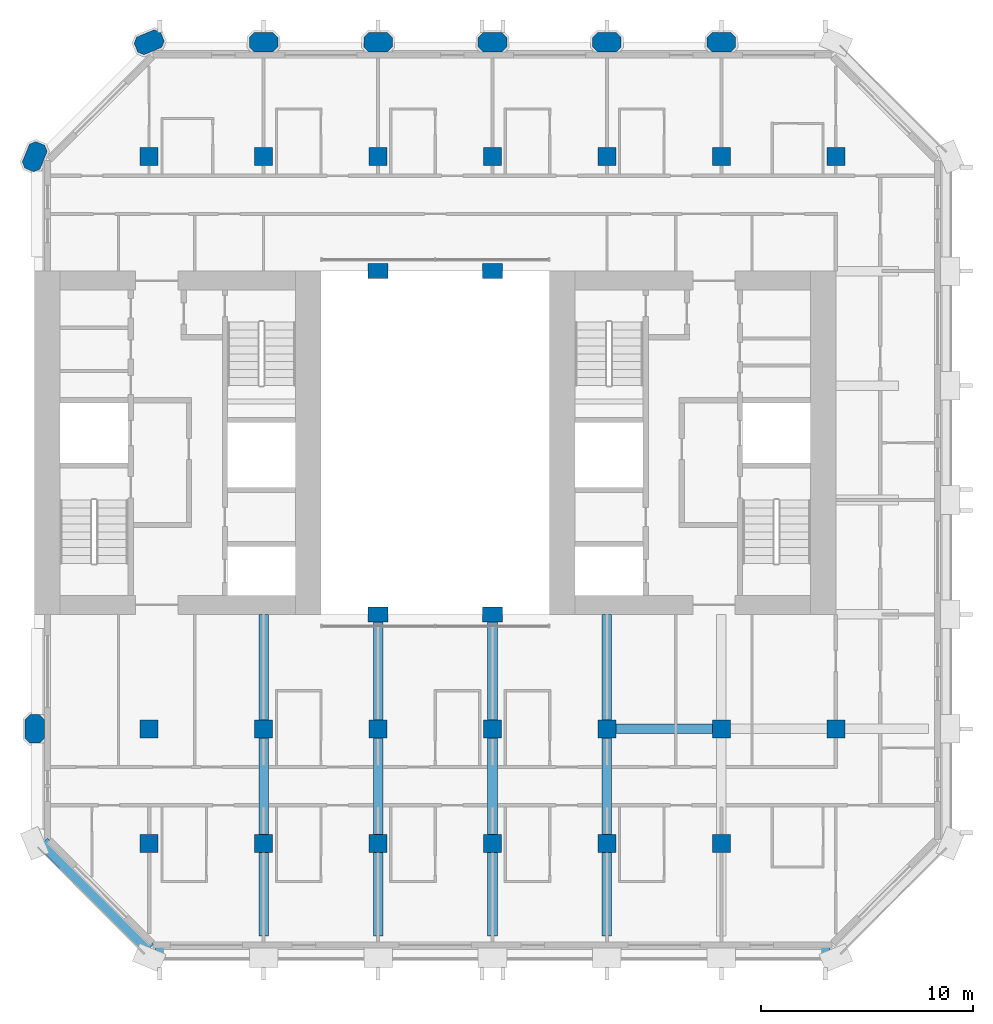
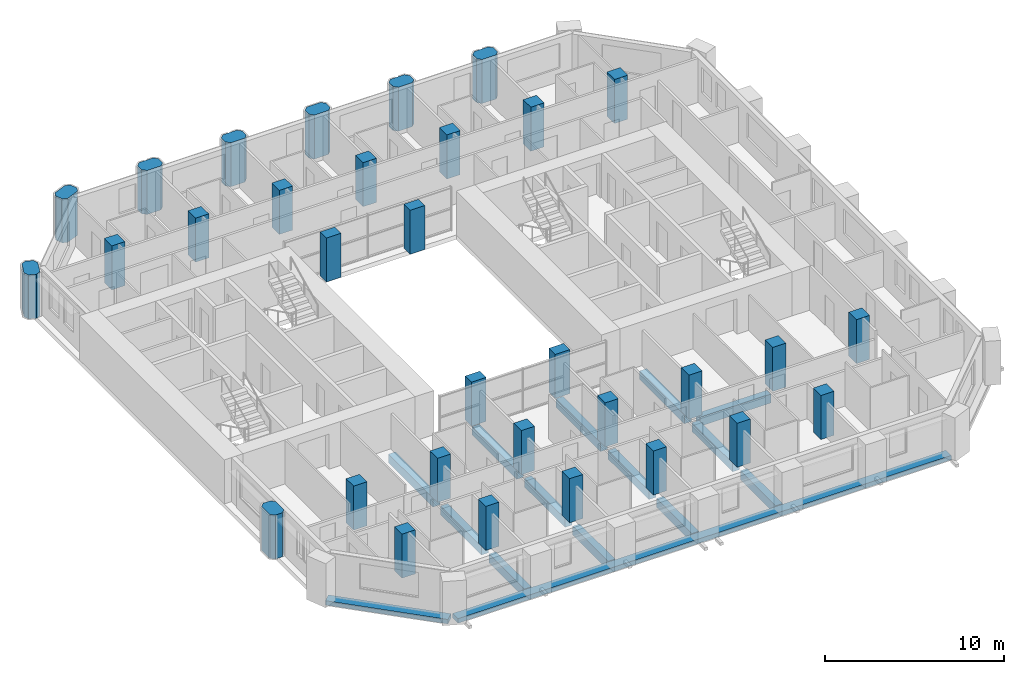
# One storey, part 1 of 13: 32 columns, 15 beams.
"""IFC4 building model written with IfcOpenShell, lengths in metres."""

from ifc_helpers import new_model, si_unit, direction, frame, origin, origin_2d, place, context, subcontext, project, spatial, polyline, rectangle, outline, extrude, material, material_profile, profile_set, type_object, element, save


model = new_model("IFC4")

# Units and contexts
model_context = context("Model", 3, precision=1e-05, world=origin(), true_north=direction((0.0, 1.0)))
body_context = subcontext(model_context, "Body", "Model", "MODEL_VIEW")
ifc_project = project(units=[si_unit("LENGTHUNIT", "METRE"), si_unit("AREAUNIT", "SQUARE_METRE"), si_unit("VOLUMEUNIT", "CUBIC_METRE"), si_unit("PLANEANGLEUNIT", "RADIAN"), si_unit("MASSUNIT", "GRAM", prefix="KILO")], contexts=[model_context])

# Site, building, storey
site_placement = place(None, origin())
site = spatial("IfcSite", under=ifc_project, at=site_placement, CompositionType="ELEMENT")
building_placement = place(site_placement, origin())
building = spatial("IfcBuilding", under=site, at=building_placement, Name="Tabaq Tower and Sports Hall", CompositionType="ELEMENT")
storey_placement = place(building_placement, frame((0.0, 0.0, 159.39990234375)))
storey = spatial("IfcBuildingStorey", under=building, at=storey_placement, Name="L37", CompositionType="ELEMENT", Elevation=159.39990234375)

# Columns
ifc_material_1 = material(Name="Concrete C50/60", Category="concrete")
ifc_material_profile_1 = material_profile(ifc_material_1, rectangle(XDim=0.949951171875, YDim=0.699951171875, at=origin_2d()), Name="ATRIUM COLUMN 950x700")
ifc_profile_set_1 = profile_set([ifc_material_profile_1], Name="Concrete C50/60")
column_type_1 = type_object("IfcColumnType", Name="RC COLUMN ATRIUM COLUMN 950x700 C50/60", PredefinedType="COLUMN", material=ifc_profile_set_1)
for number, where, z_axis, x_axis, name in (
    (1, (21.60009765625, 16.199951171875, 0.0), (0.0, 0.0, 1.0), (1.0, 0.0, 0.0), "Atrium Column 5/D L37"),
    (2, (27.0, 16.199951171875, 0.0), (0.0, 0.0, 1.0), (1.0, 0.0, 0.0), "Atrium Column 6/D L37"),
    (3, (21.60009765625, 32.39990234375, 0.0), (0.0, 0.0, 1.0), (1.0, 0.0, 0.0), "Atrium Column 5/G L37"),
    (4, (27.0, 32.39990234375, 0.0), (0.0, 0.0, 1.0), (1.0, 0.0, 0.0), "Atrium Column 6/G L37"),
):
    element("IfcColumn", number, at=place(storey_placement, frame(where, z_axis=z_axis, x_axis=x_axis)), inside=storey, type_object=column_type_1, Name=name, PredefinedType="COLUMN", context=body_context, shape_type="SweptSolid", body=[
        extrude(rectangle(XDim=0.949951171875, YDim=0.699951171875, at=origin_2d()), origin(), (0.0, 0.0, 1.0), 3.0),
    ])
ifc_material_2 = material(Name="Concrete C50/60", Category="concrete")
ifc_material_profile_2 = material_profile(ifc_material_2, rectangle(XDim=0.85009765625, YDim=0.85009765625, at=origin_2d()), Name="COLUMN 850x850")
ifc_profile_set_2 = profile_set([ifc_material_profile_2], Name="Concrete C50/60")
column_type_2 = type_object("IfcColumnType", Name="RC COLUMN COLUMN 850x850 C50/60", PredefinedType="COLUMN", material=ifc_profile_set_2)
for number, where, z_axis, x_axis, name in (
    (5, (10.800048828125, 5.39990234375, 0.0), (0.0, 0.0, 1.0), (1.0, 0.0, 0.0), "Column 3/B L37"),
    (6, (16.199951171875, 5.39990234375, 0.0), (0.0, 0.0, 1.0), (1.0, 0.0, 0.0), "Column 4/B L37"),
    (7, (21.60009765625, 5.39990234375, 0.0), (0.0, 0.0, 1.0), (1.0, 0.0, 0.0), "Column 5/B L37"),
    (8, (27.0, 5.39990234375, 0.0), (0.0, 0.0, 1.0), (1.0, 0.0, 0.0), "Column 6/B L37"),
    (9, (32.39990234375, 5.39990234375, 0.0), (0.0, 0.0, 1.0), (1.0, 0.0, 0.0), "Column 7/B L37"),
    (10, (37.800048828125, 5.39990234375, 0.0), (0.0, 0.0, 1.0), (1.0, 0.0, 0.0), "Column 8/B L37"),
    (11, (10.800048828125, 10.800048828125, 0.0), (0.0, 0.0, 1.0), (1.0, 0.0, 0.0), "Column 3/C L37"),
    (12, (16.199951171875, 10.800048828125, 0.0), (0.0, 0.0, 1.0), (1.0, 0.0, 0.0), "Column 4/C L37"),
    (13, (21.60009765625, 10.800048828125, 0.0), (0.0, 0.0, 1.0), (1.0, 0.0, 0.0), "Column 5/C L37"),
    (14, (27.0, 10.800048828125, 0.0), (0.0, 0.0, 1.0), (1.0, 0.0, 0.0), "Column 6/C L37"),
    (15, (32.39990234375, 10.800048828125, 0.0), (0.0, 0.0, 1.0), (1.0, 0.0, 0.0), "Column 7/C L37"),
    (16, (37.800048828125, 10.800048828125, 0.0), (0.0, 0.0, 1.0), (1.0, 0.0, 0.0), "Column 8/C L37"),
    (17, (43.199951171875, 10.800048828125, 0.0), (0.0, 0.0, 1.0), (1.0, 0.0, 0.0), "Column 9/C L37"),
    (18, (10.800048828125, 37.800048828125, 0.0), (0.0, 0.0, 1.0), (1.0, 0.0, 0.0), "Column 3/H L37"),
    (19, (16.199951171875, 37.800048828125, 0.0), (0.0, 0.0, 1.0), (1.0, 0.0, 0.0), "Column 4/H L37"),
    (20, (21.60009765625, 37.800048828125, 0.0), (0.0, 0.0, 1.0), (1.0, 0.0, 0.0), "Column 5/H L37"),
    (21, (27.0, 37.800048828125, 0.0), (0.0, 0.0, 1.0), (1.0, 0.0, 0.0), "Column 6/H L37"),
    (22, (32.39990234375, 37.800048828125, 0.0), (0.0, 0.0, 1.0), (1.0, 0.0, 0.0), "Column 7/H L37"),
    (23, (37.800048828125, 37.800048828125, 0.0), (0.0, 0.0, 1.0), (1.0, 0.0, 0.0), "Column 8/H L37"),
    (24, (43.199951171875, 37.800048828125, 0.0), (0.0, 0.0, 1.0), (1.0, 0.0, 0.0), "Column 9/H L37"),
):
    element("IfcColumn", number, at=place(storey_placement, frame(where, z_axis=z_axis, x_axis=x_axis)), inside=storey, type_object=column_type_2, Name=name, PredefinedType="COLUMN", context=body_context, shape_type="SweptSolid", body=[
        extrude(rectangle(XDim=0.85009765625, YDim=0.85009765625, at=origin_2d()), origin(), (0.0, 0.0, 1.0), 3.0),
    ])
ifc_material_3 = material(Name="Concrete C50/60", Category="concrete")
ifc_material_profile_3 = material_profile(ifc_material_3, outline(polyline([(-0.449951171875, -0.449951171875), (0.449951171875, -0.449951171875), (0.675048828125, -0.22509765625), (0.675048828125, 0.22509765625), (0.449951171875, 0.449951171875), (-0.449951171875, 0.449951171875), (-0.675048828125, 0.22509765625), (-0.675048828125, -0.22509765625), (-0.449951171875, -0.449951171875)])), Name="PIER 1350x900")
ifc_profile_set_3 = profile_set([ifc_material_profile_3], Name="Concrete C50/60")
column_type_3 = type_object("IfcColumnType", Name="RC COLUMN PIER 1350x900 C50/60", PredefinedType="COLUMN", material=ifc_profile_set_3)
for number, where, z_axis, x_axis, name in (
    (25, (5.39990234375, 10.800048828125, 0.0), (0.0, 0.0, 1.0), (0.0, 1.0, 0.0), "Pier 2/C L37"),
    (26, (5.39990234375, 37.800048828125, 0.0), (0.0, 0.0, 1.0), (0.382683432365, 0.923879532511, 0.0), "Pier 2/H L37"),
    (27, (10.800048828125, 43.199951171875, 0.0), (0.0, 0.0, 1.0), (0.923879532511, 0.382683432365, 0.0), "Pier 3/I L37"),
    (28, (16.199951171875, 43.199951171875, 0.0), (0.0, 0.0, 1.0), (1.0, 0.0, 0.0), "Pier 4/I L37"),
    (29, (21.60009765625, 43.199951171875, 0.0), (0.0, 0.0, 1.0), (1.0, 0.0, 0.0), "Pier 5/I L37"),
    (30, (27.0, 43.199951171875, 0.0), (0.0, 0.0, 1.0), (1.0, 0.0, 0.0), "Pier 6/I L37"),
    (31, (32.39990234375, 43.199951171875, 0.0), (0.0, 0.0, 1.0), (1.0, 0.0, 0.0), "Pier 7/I L37"),
    (32, (37.800048828125, 43.199951171875, 0.0), (0.0, 0.0, 1.0), (1.0, 0.0, 0.0), "Pier 8/I L37"),
):
    element("IfcColumn", number, at=place(storey_placement, frame(where, z_axis=z_axis, x_axis=x_axis)), inside=storey, type_object=column_type_3, Name=name, PredefinedType="COLUMN", context=body_context, shape_type="SweptSolid", body=[
        extrude(outline(polyline([(-0.449951171875, -0.449951171875), (0.449951171875, -0.449951171875), (0.675048828125, -0.22509765625), (0.675048828125, 0.22509765625), (0.449951171875, 0.449951171875), (-0.449951171875, 0.449951171875), (-0.675048828125, 0.22509765625), (-0.675048828125, -0.22509765625), (-0.449951171875, -0.449951171875)])), origin(), (0.0, 0.0, 1.0), 3.0),
    ])

# Beams
ifc_material_4 = material(Name="Concrete C40/50", Category="concrete")
ifc_material_profile_4 = material_profile(ifc_material_4, rectangle(XDim=0.449951171875, YDim=0.60009765625, at=origin_2d()), Name="CB 450x600")
ifc_profile_set_4 = profile_set([ifc_material_profile_4], Name="Concrete C40/50")
beam_type_1 = type_object("IfcBeamType", Name="PT CANTILEVER BEAM CB 450x600 C40/50", PredefinedType="BEAM", material=ifc_profile_set_4)
beam_1_placement = place(storey_placement, frame((37.375, 10.800048828125, -0.599853515625), z_axis=(-1.0, 0.0, 0.0), x_axis=(0.0, -1.0, 0.0)))
element("IfcBeam", 33, at=beam_1_placement, inside=storey, type_object=beam_type_1, Name="Cantilever Beam L37 E2 span 3", PredefinedType="BEAM", context=body_context, shape_type="SweptSolid", body=[
    extrude(rectangle(XDim=0.449951171875, YDim=0.60009765625, at=origin_2d()), origin(), (0.0, 0.0, 1.0), 4.550048828125),
])
beam_2_placement = place(storey_placement, frame((16.199951171875, 1.02490234375, -0.599853515625), z_axis=(0.0, 1.0, 0.0), x_axis=(-1.0, 0.0, 0.0)))
element("IfcBeam", 34, at=beam_2_placement, inside=storey, type_object=beam_type_1, Name="Cantilever Beam L37 S3 span 1", PredefinedType="BEAM", context=body_context, shape_type="SweptSolid", body=[
    extrude(rectangle(XDim=0.449951171875, YDim=0.60009765625, at=origin_2d()), origin(), (0.0, 0.0, 1.0), 3.9501953125),
])
beam_3_placement = place(storey_placement, frame((16.199951171875, 5.824951171875, -0.599853515625), z_axis=(0.0, 1.0, 0.0), x_axis=(-1.0, 0.0, 0.0)))
element("IfcBeam", 35, at=beam_3_placement, inside=storey, type_object=beam_type_1, Name="Cantilever Beam L37 S3 span 2", PredefinedType="BEAM", context=body_context, shape_type="SweptSolid", body=[
    extrude(rectangle(XDim=0.449951171875, YDim=0.60009765625, at=origin_2d()), origin(), (0.0, 0.0, 1.0), 4.550048828125),
])
beam_4_placement = place(storey_placement, frame((16.199951171875, 11.22509765625, -0.599853515625), z_axis=(0.0, 1.0, 0.0), x_axis=(-1.0, 0.0, 0.0)))
element("IfcBeam", 36, at=beam_4_placement, inside=storey, type_object=beam_type_1, Name="Cantilever Beam L37 S3 span 3", PredefinedType="BEAM", context=body_context, shape_type="SweptSolid", body=[
    extrude(rectangle(XDim=0.449951171875, YDim=0.60009765625, at=origin_2d()), origin(), (0.0, 0.0, 1.0), 4.974853515625),
])
beam_5_placement = place(storey_placement, frame((21.60009765625, 1.02490234375, -0.599853515625), z_axis=(0.0, 1.0, 0.0), x_axis=(-1.0, 0.0, 0.0)))
element("IfcBeam", 37, at=beam_5_placement, inside=storey, type_object=beam_type_1, Name="Cantilever Beam L37 S4 span 1", PredefinedType="BEAM", context=body_context, shape_type="SweptSolid", body=[
    extrude(rectangle(XDim=0.449951171875, YDim=0.60009765625, at=origin_2d()), origin(), (0.0, 0.0, 1.0), 3.9501953125),
])
beam_6_placement = place(storey_placement, frame((21.60009765625, 5.824951171875, -0.599853515625), z_axis=(0.0, 1.0, 0.0), x_axis=(-1.0, 0.0, 0.0)))
element("IfcBeam", 38, at=beam_6_placement, inside=storey, type_object=beam_type_1, Name="Cantilever Beam L37 S4 span 2", PredefinedType="BEAM", context=body_context, shape_type="SweptSolid", body=[
    extrude(rectangle(XDim=0.449951171875, YDim=0.60009765625, at=origin_2d()), origin(), (0.0, 0.0, 1.0), 4.550048828125),
])
beam_7_placement = place(storey_placement, frame((21.60009765625, 11.22509765625, -0.599853515625), z_axis=(0.0, 1.0, 0.0), x_axis=(-1.0, 0.0, 0.0)))
element("IfcBeam", 39, at=beam_7_placement, inside=storey, type_object=beam_type_1, Name="Cantilever Beam L37 S4 span 3", PredefinedType="BEAM", context=body_context, shape_type="SweptSolid", body=[
    extrude(rectangle(XDim=0.449951171875, YDim=0.60009765625, at=origin_2d()), origin(), (0.0, 0.0, 1.0), 4.974853515625),
])
beam_8_placement = place(storey_placement, frame((27.0, 1.02490234375, -0.599853515625), z_axis=(0.0, 1.0, 0.0), x_axis=(-1.0, 0.0, 0.0)))
element("IfcBeam", 40, at=beam_8_placement, inside=storey, type_object=beam_type_1, Name="Cantilever Beam L37 S5 span 1", PredefinedType="BEAM", context=body_context, shape_type="SweptSolid", body=[
    extrude(rectangle(XDim=0.449951171875, YDim=0.60009765625, at=origin_2d()), origin(), (0.0, 0.0, 1.0), 3.9501953125),
])
beam_9_placement = place(storey_placement, frame((27.0, 5.824951171875, -0.599853515625), z_axis=(0.0, 1.0, 0.0), x_axis=(-1.0, 0.0, 0.0)))
element("IfcBeam", 41, at=beam_9_placement, inside=storey, type_object=beam_type_1, Name="Cantilever Beam L37 S5 span 2", PredefinedType="BEAM", context=body_context, shape_type="SweptSolid", body=[
    extrude(rectangle(XDim=0.449951171875, YDim=0.60009765625, at=origin_2d()), origin(), (0.0, 0.0, 1.0), 4.550048828125),
])
beam_10_placement = place(storey_placement, frame((27.0, 11.22509765625, -0.599853515625), z_axis=(0.0, 1.0, 0.0), x_axis=(-1.0, 0.0, 0.0)))
element("IfcBeam", 42, at=beam_10_placement, inside=storey, type_object=beam_type_1, Name="Cantilever Beam L37 S5 span 3", PredefinedType="BEAM", context=body_context, shape_type="SweptSolid", body=[
    extrude(rectangle(XDim=0.449951171875, YDim=0.60009765625, at=origin_2d()), origin(), (0.0, 0.0, 1.0), 4.974853515625),
])
beam_11_placement = place(storey_placement, frame((32.39990234375, 1.02490234375, -0.599853515625), z_axis=(0.0, 1.0, 0.0), x_axis=(-1.0, 0.0, 0.0)))
element("IfcBeam", 43, at=beam_11_placement, inside=storey, type_object=beam_type_1, Name="Cantilever Beam L37 S6 span 1", PredefinedType="BEAM", context=body_context, shape_type="SweptSolid", body=[
    extrude(rectangle(XDim=0.449951171875, YDim=0.60009765625, at=origin_2d()), origin(), (0.0, 0.0, 1.0), 3.9501953125),
])
beam_12_placement = place(storey_placement, frame((32.39990234375, 5.824951171875, -0.599853515625), z_axis=(0.0, 1.0, 0.0), x_axis=(-1.0, 0.0, 0.0)))
element("IfcBeam", 44, at=beam_12_placement, inside=storey, type_object=beam_type_1, Name="Cantilever Beam L37 S6 span 2", PredefinedType="BEAM", context=body_context, shape_type="SweptSolid", body=[
    extrude(rectangle(XDim=0.449951171875, YDim=0.60009765625, at=origin_2d()), origin(), (0.0, 0.0, 1.0), 4.550048828125),
])
beam_13_placement = place(storey_placement, frame((32.39990234375, 11.22509765625, -0.599853515625), z_axis=(0.0, 1.0, 0.0), x_axis=(-1.0, 0.0, 0.0)))
element("IfcBeam", 45, at=beam_13_placement, inside=storey, type_object=beam_type_1, Name="Cantilever Beam L37 S6 span 3", PredefinedType="BEAM", context=body_context, shape_type="SweptSolid", body=[
    extrude(rectangle(XDim=0.449951171875, YDim=0.60009765625, at=origin_2d()), origin(), (0.0, 0.0, 1.0), 4.974853515625),
])
ifc_material_5 = material(Name="Concrete C40/50", Category="concrete")
ifc_material_profile_5 = material_profile(ifc_material_5, rectangle(XDim=0.60009765625, YDim=0.300048828125, at=origin_2d()), Name="EB 600x300")
ifc_profile_set_5 = profile_set([ifc_material_profile_5], Name="Concrete C40/50")
beam_type_2 = type_object("IfcBeamType", Name="PT EDGE BEAM EB 600x300 C40/50", PredefinedType="SPANDREL", material=ifc_profile_set_5)
beam_14_placement = place(storey_placement, frame((11.0986328125, 0.300048828125, -0.14990234375), z_axis=(1.0, 0.0, 0.0), x_axis=(0.0, 1.0, 0.0)))
element("IfcBeam", 46, at=beam_14_placement, inside=storey, type_object=beam_type_2, Name="Edge Beam L37 1", PredefinedType="SPANDREL", context=body_context, shape_type="SweptSolid", body=[
    extrude(rectangle(XDim=0.60009765625, YDim=0.300048828125, at=origin_2d()), origin(), (0.0, 0.0, 1.0), 31.802734375),
])
beam_15_placement = place(storey_placement, frame((5.788818359375, 5.435302734375, -0.14990234375), z_axis=(0.707124002701, -0.707089559252, 0.0), x_axis=(0.707089559252, 0.707124002701, 0.0)))
element("IfcBeam", 47, at=beam_15_placement, inside=storey, type_object=beam_type_2, Name="Edge Beam L37 5", PredefinedType="SPANDREL", context=body_context, shape_type="SweptSolid", body=[
    extrude(rectangle(XDim=0.60009765625, YDim=0.300048828125, at=origin_2d()), origin(), (0.0, 0.0, 1.0), 7.088134765625),
])

save(model, "model.ifc")
